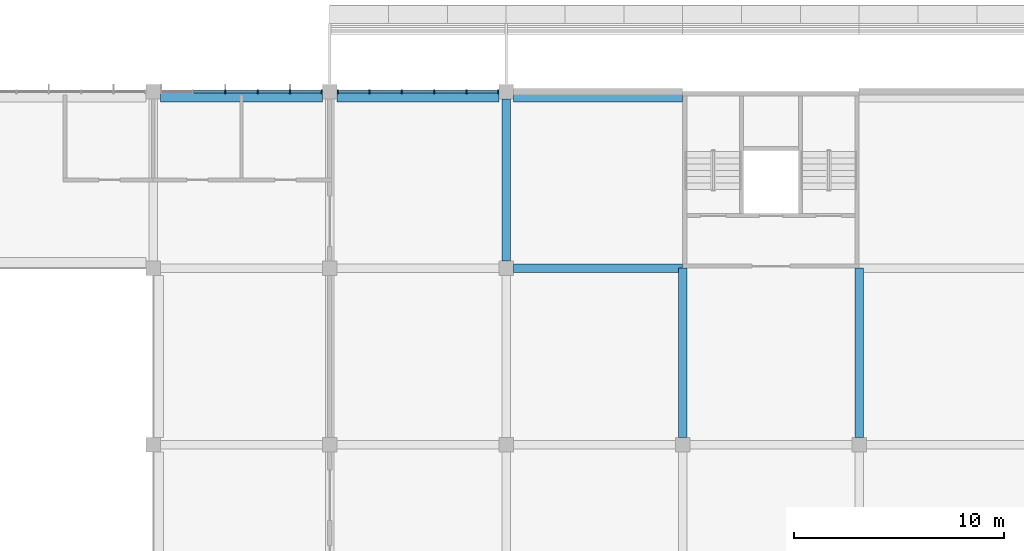
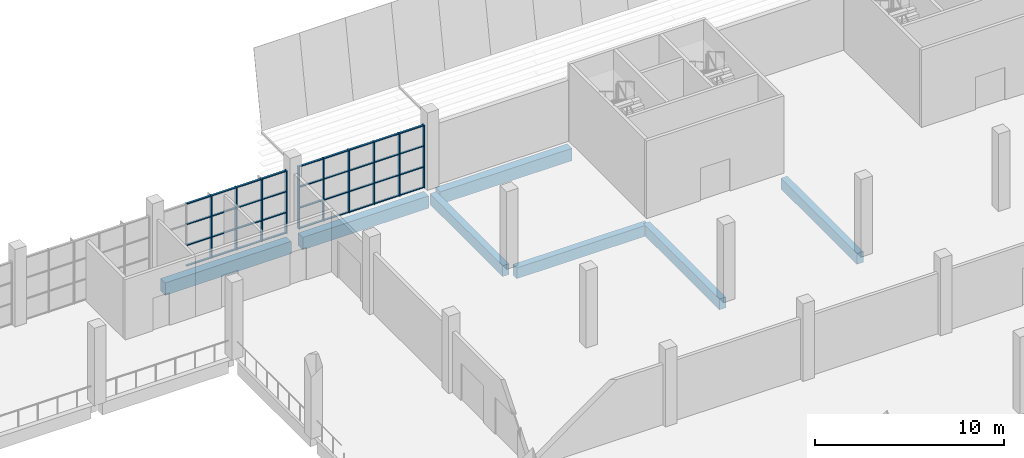
# One storey, part 10 of 82: 46 members, 7 beams, 2 elements without a shape of their own.
"""IFC4 building model written with IfcOpenShell, lengths in metres."""

from ifc_helpers import new_model, si_unit, direction, frame, origin, origin_2d, place, context, subcontext, project, spatial, rectangle, extrude, material, material_profile, profile_set, type_object, element, aggregate, save


model = new_model("IFC4")

# Units and contexts
model_context = context("Model", 3, precision=1e-05, world=origin(), true_north=direction((0.0, 1.0)))
body_context = subcontext(model_context, "Body", "Model", "MODEL_VIEW")
ifc_project = project(units=[si_unit("LENGTHUNIT", "METRE"), si_unit("AREAUNIT", "SQUARE_METRE"), si_unit("VOLUMEUNIT", "CUBIC_METRE"), si_unit("PLANEANGLEUNIT", "RADIAN"), si_unit("MASSUNIT", "GRAM", prefix="KILO")], contexts=[model_context])

# Site, building, storey
site_placement = place(None, origin())
site = spatial("IfcSite", under=ifc_project, at=site_placement, CompositionType="ELEMENT")
building_placement = place(site_placement, origin())
building = spatial("IfcBuilding", under=site, at=building_placement, Name="Almond Square Museum", CompositionType="ELEMENT")
storey_placement = place(building_placement, frame((0.0, 0.0, 20.0)))
storey = spatial("IfcBuildingStorey", under=building, at=storey_placement, Name="L03", CompositionType="ELEMENT", Elevation=20.0)

# Curtain wall, members
ifc_material_1 = material(Name="Aluminium and laminated glass", Category="aluminium")
curtain_wall_type = type_object("IfcCurtainWallType", Name="Unitised curtain wall 1500 module", PredefinedType="NOTDEFINED", material=ifc_material_1)
curtain_wall_1_placement = place(storey_placement, origin())
curtain_wall_1 = element("IfcCurtainWall", 1, at=curtain_wall_1_placement, inside=storey, type_object=curtain_wall_type, Name="Curtain wall CW-31", PredefinedType="NOTDEFINED")
ifc_material_2 = material(Name="Anodised aluminium", Category="aluminium")
ifc_material_profile_1 = material_profile(ifc_material_2, rectangle(XDim=0.199951171875, YDim=0.06005859375, at=origin_2d()))
ifc_profile_set_1 = profile_set([ifc_material_profile_1], Name="Anodised aluminium")
member_type_1 = type_object("IfcMemberType", Name="Aluminium mullion 60 x 200", PredefinedType="MULLION", material=ifc_profile_set_1)
member_1_placement = place(storey_placement, frame((107.179931640625, 109.199951171875, 0.0), z_axis=(0.0, 0.0, 1.0), x_axis=(0.0, 1.0, 0.0)))
member_1 = element("IfcMember", 2, at=member_1_placement, type_object=member_type_1, Name="CW-31 mullion 1", PredefinedType="MULLION", context=body_context, shape_type="SweptSolid", body=[
    extrude(rectangle(XDim=0.199951171875, YDim=0.06005859375, at=origin_2d()), origin(), (0.0, 0.0, 1.0), 4.050048828125),
])
member_2_placement = place(storey_placement, frame((108.68994140625, 109.199951171875, 0.0), z_axis=(0.0, 0.0, 1.0), x_axis=(0.0, 1.0, 0.0)))
member_2 = element("IfcMember", 3, at=member_2_placement, type_object=member_type_1, Name="CW-31 mullion 2", PredefinedType="MULLION", context=body_context, shape_type="SweptSolid", body=[
    extrude(rectangle(XDim=0.199951171875, YDim=0.06005859375, at=origin_2d()), origin(), (0.0, 0.0, 1.0), 4.050048828125),
])
member_3_placement = place(storey_placement, frame((110.22998046875, 109.199951171875, 0.0), z_axis=(0.0, 0.0, 1.0), x_axis=(0.0, 1.0, 0.0)))
member_3 = element("IfcMember", 4, at=member_3_placement, type_object=member_type_1, Name="CW-31 mullion 3", PredefinedType="MULLION", context=body_context, shape_type="SweptSolid", body=[
    extrude(rectangle(XDim=0.199951171875, YDim=0.06005859375, at=origin_2d()), origin(), (0.0, 0.0, 1.0), 4.050048828125),
])
member_4_placement = place(storey_placement, frame((111.77001953125, 109.199951171875, 0.0), z_axis=(0.0, 0.0, 1.0), x_axis=(0.0, 1.0, 0.0)))
member_4 = element("IfcMember", 5, at=member_4_placement, type_object=member_type_1, Name="CW-31 mullion 4", PredefinedType="MULLION", context=body_context, shape_type="SweptSolid", body=[
    extrude(rectangle(XDim=0.199951171875, YDim=0.06005859375, at=origin_2d()), origin(), (0.0, 0.0, 1.0), 4.050048828125),
])
member_5_placement = place(storey_placement, frame((113.31005859375, 109.199951171875, 0.0), z_axis=(0.0, 0.0, 1.0), x_axis=(0.0, 1.0, 0.0)))
member_5 = element("IfcMember", 6, at=member_5_placement, type_object=member_type_1, Name="CW-31 mullion 5", PredefinedType="MULLION", context=body_context, shape_type="SweptSolid", body=[
    extrude(rectangle(XDim=0.199951171875, YDim=0.06005859375, at=origin_2d()), origin(), (0.0, 0.0, 1.0), 4.050048828125),
])
member_6_placement = place(storey_placement, frame((114.820068359375, 109.199951171875, 0.0), z_axis=(0.0, 0.0, 1.0), x_axis=(0.0, 1.0, 0.0)))
member_6 = element("IfcMember", 7, at=member_6_placement, type_object=member_type_1, Name="CW-31 mullion 6", PredefinedType="MULLION", context=body_context, shape_type="SweptSolid", body=[
    extrude(rectangle(XDim=0.199951171875, YDim=0.06005859375, at=origin_2d()), origin(), (0.0, 0.0, 1.0), 4.050048828125),
])

curtain_wall_2_placement = place(storey_placement, origin())
curtain_wall_2 = element("IfcCurtainWall", 8, at=curtain_wall_2_placement, inside=storey, type_object=curtain_wall_type, Name="Curtain wall CW-32", PredefinedType="NOTDEFINED")
member_7_placement = place(storey_placement, frame((101.830078125, 109.199951171875, 0.0), z_axis=(0.0, 0.0, 1.0), x_axis=(0.0, 1.0, 0.0)))
member_7 = element("IfcMember", 9, at=member_7_placement, type_object=member_type_1, Name="CW-32 mullion 3", PredefinedType="MULLION", context=body_context, shape_type="SweptSolid", body=[
    extrude(rectangle(XDim=0.199951171875, YDim=0.06005859375, at=origin_2d()), origin(), (0.0, 0.0, 1.0), 4.050048828125),
])
member_8_placement = place(storey_placement, frame((103.3701171875, 109.199951171875, 0.0), z_axis=(0.0, 0.0, 1.0), x_axis=(0.0, 1.0, 0.0)))
member_8 = element("IfcMember", 10, at=member_8_placement, type_object=member_type_1, Name="CW-32 mullion 4", PredefinedType="MULLION", context=body_context, shape_type="SweptSolid", body=[
    extrude(rectangle(XDim=0.199951171875, YDim=0.06005859375, at=origin_2d()), origin(), (0.0, 0.0, 1.0), 4.050048828125),
])
member_9_placement = place(storey_placement, frame((104.909912109375, 109.199951171875, 0.0), z_axis=(0.0, 0.0, 1.0), x_axis=(0.0, 1.0, 0.0)))
member_9 = element("IfcMember", 11, at=member_9_placement, type_object=member_type_1, Name="CW-32 mullion 5", PredefinedType="MULLION", context=body_context, shape_type="SweptSolid", body=[
    extrude(rectangle(XDim=0.199951171875, YDim=0.06005859375, at=origin_2d()), origin(), (0.0, 0.0, 1.0), 4.050048828125),
])
member_10_placement = place(storey_placement, frame((106.419921875, 109.199951171875, 0.0), z_axis=(0.0, 0.0, 1.0), x_axis=(0.0, 1.0, 0.0)))
member_10 = element("IfcMember", 12, at=member_10_placement, type_object=member_type_1, Name="CW-32 mullion 6", PredefinedType="MULLION", context=body_context, shape_type="SweptSolid", body=[
    extrude(rectangle(XDim=0.199951171875, YDim=0.06005859375, at=origin_2d()), origin(), (0.0, 0.0, 1.0), 4.050048828125),
])

# Member
ifc_material_3 = material(Name="Anodised aluminium", Category="aluminium")
ifc_material_profile_2 = material_profile(ifc_material_3, rectangle(XDim=0.1201171875, YDim=0.06005859375, at=origin_2d()))
ifc_profile_set_2 = profile_set([ifc_material_profile_2], Name="Anodised aluminium")
member_type_2 = type_object("IfcMemberType", Name="Aluminium transom 60 x 120", PredefinedType="USERDEFINED", material=ifc_profile_set_2)
member_11_placement = place(storey_placement, frame((107.2099609375, 109.199951171875, 0.030029296875), z_axis=(1.0, 0.0, 0.0), x_axis=(0.0, 1.0, 0.0)))
member_11 = element("IfcMember", 13, at=member_11_placement, type_object=member_type_2, Name="CW-31 transom 1.1", ObjectType="TRANSOM", PredefinedType="USERDEFINED", context=body_context, shape_type="SweptSolid", body=[
    extrude(rectangle(XDim=0.1201171875, YDim=0.06005859375, at=origin_2d()), origin(), (0.0, 0.0, 1.0), 1.449951171875),
])

member_12_placement = place(storey_placement, frame((107.2099609375, 109.199951171875, 1.35009765625), z_axis=(1.0, 0.0, 0.0), x_axis=(0.0, 1.0, 0.0)))
member_12 = element("IfcMember", 14, at=member_12_placement, type_object=member_type_2, Name="CW-31 transom 1.2", ObjectType="TRANSOM", PredefinedType="USERDEFINED", context=body_context, shape_type="SweptSolid", body=[
    extrude(rectangle(XDim=0.1201171875, YDim=0.06005859375, at=origin_2d()), origin(), (0.0, 0.0, 1.0), 1.449951171875),
])

member_13_placement = place(storey_placement, frame((107.2099609375, 109.199951171875, 2.699951171875), z_axis=(1.0, 0.0, 0.0), x_axis=(0.0, 1.0, 0.0)))
member_13 = element("IfcMember", 15, at=member_13_placement, type_object=member_type_2, Name="CW-31 transom 1.3", ObjectType="TRANSOM", PredefinedType="USERDEFINED", context=body_context, shape_type="SweptSolid", body=[
    extrude(rectangle(XDim=0.1201171875, YDim=0.06005859375, at=origin_2d()), origin(), (0.0, 0.0, 1.0), 1.449951171875),
])

member_14_placement = place(storey_placement, frame((107.2099609375, 109.199951171875, 4.02001953125), z_axis=(1.0, 0.0, 0.0), x_axis=(0.0, 1.0, 0.0)))
member_14 = element("IfcMember", 16, at=member_14_placement, type_object=member_type_2, Name="CW-31 transom 1.4", ObjectType="TRANSOM", PredefinedType="USERDEFINED", context=body_context, shape_type="SweptSolid", body=[
    extrude(rectangle(XDim=0.1201171875, YDim=0.06005859375, at=origin_2d()), origin(), (0.0, 0.0, 1.0), 1.449951171875),
])

member_15_placement = place(storey_placement, frame((108.719970703125, 109.199951171875, 0.030029296875), z_axis=(1.0, 0.0, 0.0), x_axis=(0.0, 1.0, 0.0)))
member_15 = element("IfcMember", 17, at=member_15_placement, type_object=member_type_2, Name="CW-31 transom 2.1", ObjectType="TRANSOM", PredefinedType="USERDEFINED", context=body_context, shape_type="SweptSolid", body=[
    extrude(rectangle(XDim=0.1201171875, YDim=0.06005859375, at=origin_2d()), origin(), (0.0, 0.0, 1.0), 1.47998046875),
])

member_16_placement = place(storey_placement, frame((108.719970703125, 109.199951171875, 1.35009765625), z_axis=(1.0, 0.0, 0.0), x_axis=(0.0, 1.0, 0.0)))
member_16 = element("IfcMember", 18, at=member_16_placement, type_object=member_type_2, Name="CW-31 transom 2.2", ObjectType="TRANSOM", PredefinedType="USERDEFINED", context=body_context, shape_type="SweptSolid", body=[
    extrude(rectangle(XDim=0.1201171875, YDim=0.06005859375, at=origin_2d()), origin(), (0.0, 0.0, 1.0), 1.47998046875),
])

member_17_placement = place(storey_placement, frame((108.719970703125, 109.199951171875, 2.699951171875), z_axis=(1.0, 0.0, 0.0), x_axis=(0.0, 1.0, 0.0)))
member_17 = element("IfcMember", 19, at=member_17_placement, type_object=member_type_2, Name="CW-31 transom 2.3", ObjectType="TRANSOM", PredefinedType="USERDEFINED", context=body_context, shape_type="SweptSolid", body=[
    extrude(rectangle(XDim=0.1201171875, YDim=0.06005859375, at=origin_2d()), origin(), (0.0, 0.0, 1.0), 1.47998046875),
])

member_18_placement = place(storey_placement, frame((108.719970703125, 109.199951171875, 4.02001953125), z_axis=(1.0, 0.0, 0.0), x_axis=(0.0, 1.0, 0.0)))
member_18 = element("IfcMember", 20, at=member_18_placement, type_object=member_type_2, Name="CW-31 transom 2.4", ObjectType="TRANSOM", PredefinedType="USERDEFINED", context=body_context, shape_type="SweptSolid", body=[
    extrude(rectangle(XDim=0.1201171875, YDim=0.06005859375, at=origin_2d()), origin(), (0.0, 0.0, 1.0), 1.47998046875),
])

member_19_placement = place(storey_placement, frame((110.260009765625, 109.199951171875, 0.030029296875), z_axis=(1.0, 0.0, 0.0), x_axis=(0.0, 1.0, 0.0)))
member_19 = element("IfcMember", 21, at=member_19_placement, type_object=member_type_2, Name="CW-31 transom 3.1", ObjectType="TRANSOM", PredefinedType="USERDEFINED", context=body_context, shape_type="SweptSolid", body=[
    extrude(rectangle(XDim=0.1201171875, YDim=0.06005859375, at=origin_2d()), origin(), (0.0, 0.0, 1.0), 1.47998046875),
])

member_20_placement = place(storey_placement, frame((110.260009765625, 109.199951171875, 1.35009765625), z_axis=(1.0, 0.0, 0.0), x_axis=(0.0, 1.0, 0.0)))
member_20 = element("IfcMember", 22, at=member_20_placement, type_object=member_type_2, Name="CW-31 transom 3.2", ObjectType="TRANSOM", PredefinedType="USERDEFINED", context=body_context, shape_type="SweptSolid", body=[
    extrude(rectangle(XDim=0.1201171875, YDim=0.06005859375, at=origin_2d()), origin(), (0.0, 0.0, 1.0), 1.47998046875),
])

member_21_placement = place(storey_placement, frame((110.260009765625, 109.199951171875, 2.699951171875), z_axis=(1.0, 0.0, 0.0), x_axis=(0.0, 1.0, 0.0)))
member_21 = element("IfcMember", 23, at=member_21_placement, type_object=member_type_2, Name="CW-31 transom 3.3", ObjectType="TRANSOM", PredefinedType="USERDEFINED", context=body_context, shape_type="SweptSolid", body=[
    extrude(rectangle(XDim=0.1201171875, YDim=0.06005859375, at=origin_2d()), origin(), (0.0, 0.0, 1.0), 1.47998046875),
])

member_22_placement = place(storey_placement, frame((110.260009765625, 109.199951171875, 4.02001953125), z_axis=(1.0, 0.0, 0.0), x_axis=(0.0, 1.0, 0.0)))
member_22 = element("IfcMember", 24, at=member_22_placement, type_object=member_type_2, Name="CW-31 transom 3.4", ObjectType="TRANSOM", PredefinedType="USERDEFINED", context=body_context, shape_type="SweptSolid", body=[
    extrude(rectangle(XDim=0.1201171875, YDim=0.06005859375, at=origin_2d()), origin(), (0.0, 0.0, 1.0), 1.47998046875),
])

member_23_placement = place(storey_placement, frame((111.800048828125, 109.199951171875, 0.030029296875), z_axis=(1.0, 0.0, 0.0), x_axis=(0.0, 1.0, 0.0)))
member_23 = element("IfcMember", 25, at=member_23_placement, type_object=member_type_2, Name="CW-31 transom 4.1", ObjectType="TRANSOM", PredefinedType="USERDEFINED", context=body_context, shape_type="SweptSolid", body=[
    extrude(rectangle(XDim=0.1201171875, YDim=0.06005859375, at=origin_2d()), origin(), (0.0, 0.0, 1.0), 1.47998046875),
])

member_24_placement = place(storey_placement, frame((111.800048828125, 109.199951171875, 1.35009765625), z_axis=(1.0, 0.0, 0.0), x_axis=(0.0, 1.0, 0.0)))
member_24 = element("IfcMember", 26, at=member_24_placement, type_object=member_type_2, Name="CW-31 transom 4.2", ObjectType="TRANSOM", PredefinedType="USERDEFINED", context=body_context, shape_type="SweptSolid", body=[
    extrude(rectangle(XDim=0.1201171875, YDim=0.06005859375, at=origin_2d()), origin(), (0.0, 0.0, 1.0), 1.47998046875),
])

member_25_placement = place(storey_placement, frame((111.800048828125, 109.199951171875, 2.699951171875), z_axis=(1.0, 0.0, 0.0), x_axis=(0.0, 1.0, 0.0)))
member_25 = element("IfcMember", 27, at=member_25_placement, type_object=member_type_2, Name="CW-31 transom 4.3", ObjectType="TRANSOM", PredefinedType="USERDEFINED", context=body_context, shape_type="SweptSolid", body=[
    extrude(rectangle(XDim=0.1201171875, YDim=0.06005859375, at=origin_2d()), origin(), (0.0, 0.0, 1.0), 1.47998046875),
])

member_26_placement = place(storey_placement, frame((111.800048828125, 109.199951171875, 4.02001953125), z_axis=(1.0, 0.0, 0.0), x_axis=(0.0, 1.0, 0.0)))
member_26 = element("IfcMember", 28, at=member_26_placement, type_object=member_type_2, Name="CW-31 transom 4.4", ObjectType="TRANSOM", PredefinedType="USERDEFINED", context=body_context, shape_type="SweptSolid", body=[
    extrude(rectangle(XDim=0.1201171875, YDim=0.06005859375, at=origin_2d()), origin(), (0.0, 0.0, 1.0), 1.47998046875),
])

member_27_placement = place(storey_placement, frame((113.340087890625, 109.199951171875, 0.030029296875), z_axis=(1.0, 0.0, 0.0), x_axis=(0.0, 1.0, 0.0)))
member_27 = element("IfcMember", 29, at=member_27_placement, type_object=member_type_2, Name="CW-31 transom 5.1", ObjectType="TRANSOM", PredefinedType="USERDEFINED", context=body_context, shape_type="SweptSolid", body=[
    extrude(rectangle(XDim=0.1201171875, YDim=0.06005859375, at=origin_2d()), origin(), (0.0, 0.0, 1.0), 1.449951171875),
])

member_28_placement = place(storey_placement, frame((113.340087890625, 109.199951171875, 1.35009765625), z_axis=(1.0, 0.0, 0.0), x_axis=(0.0, 1.0, 0.0)))
member_28 = element("IfcMember", 30, at=member_28_placement, type_object=member_type_2, Name="CW-31 transom 5.2", ObjectType="TRANSOM", PredefinedType="USERDEFINED", context=body_context, shape_type="SweptSolid", body=[
    extrude(rectangle(XDim=0.1201171875, YDim=0.06005859375, at=origin_2d()), origin(), (0.0, 0.0, 1.0), 1.449951171875),
])

member_29_placement = place(storey_placement, frame((113.340087890625, 109.199951171875, 2.699951171875), z_axis=(1.0, 0.0, 0.0), x_axis=(0.0, 1.0, 0.0)))
member_29 = element("IfcMember", 31, at=member_29_placement, type_object=member_type_2, Name="CW-31 transom 5.3", ObjectType="TRANSOM", PredefinedType="USERDEFINED", context=body_context, shape_type="SweptSolid", body=[
    extrude(rectangle(XDim=0.1201171875, YDim=0.06005859375, at=origin_2d()), origin(), (0.0, 0.0, 1.0), 1.449951171875),
])

member_30_placement = place(storey_placement, frame((113.340087890625, 109.199951171875, 4.02001953125), z_axis=(1.0, 0.0, 0.0), x_axis=(0.0, 1.0, 0.0)))
member_30 = element("IfcMember", 32, at=member_30_placement, type_object=member_type_2, Name="CW-31 transom 5.4", ObjectType="TRANSOM", PredefinedType="USERDEFINED", context=body_context, shape_type="SweptSolid", body=[
    extrude(rectangle(XDim=0.1201171875, YDim=0.06005859375, at=origin_2d()), origin(), (0.0, 0.0, 1.0), 1.449951171875),
])

aggregate(curtain_wall_1, [member_1, member_2, member_3, member_4, member_5, member_6, member_11, member_12, member_13, member_14, member_15, member_16, member_17, member_18, member_19, member_20, member_21, member_22, member_23, member_24, member_25, member_26, member_27, member_28, member_29, member_30])

member_31_placement = place(storey_placement, frame((100.320068359375, 109.199951171875, 0.030029296875), z_axis=(1.0, 0.0, 0.0), x_axis=(0.0, 1.0, 0.0)))
member_31 = element("IfcMember", 33, at=member_31_placement, type_object=member_type_2, Name="CW-32 transom 2.1", ObjectType="TRANSOM", PredefinedType="USERDEFINED", context=body_context, shape_type="SweptSolid", body=[
    extrude(rectangle(XDim=0.1201171875, YDim=0.06005859375, at=origin_2d()), origin(), (0.0, 0.0, 1.0), 1.47998046875),
])

member_32_placement = place(storey_placement, frame((100.320068359375, 109.199951171875, 1.35009765625), z_axis=(1.0, 0.0, 0.0), x_axis=(0.0, 1.0, 0.0)))
member_32 = element("IfcMember", 34, at=member_32_placement, type_object=member_type_2, Name="CW-32 transom 2.2", ObjectType="TRANSOM", PredefinedType="USERDEFINED", context=body_context, shape_type="SweptSolid", body=[
    extrude(rectangle(XDim=0.1201171875, YDim=0.06005859375, at=origin_2d()), origin(), (0.0, 0.0, 1.0), 1.47998046875),
])

member_33_placement = place(storey_placement, frame((100.320068359375, 109.199951171875, 2.699951171875), z_axis=(1.0, 0.0, 0.0), x_axis=(0.0, 1.0, 0.0)))
member_33 = element("IfcMember", 35, at=member_33_placement, type_object=member_type_2, Name="CW-32 transom 2.3", ObjectType="TRANSOM", PredefinedType="USERDEFINED", context=body_context, shape_type="SweptSolid", body=[
    extrude(rectangle(XDim=0.1201171875, YDim=0.06005859375, at=origin_2d()), origin(), (0.0, 0.0, 1.0), 1.47998046875),
])

member_34_placement = place(storey_placement, frame((100.320068359375, 109.199951171875, 4.02001953125), z_axis=(1.0, 0.0, 0.0), x_axis=(0.0, 1.0, 0.0)))
member_34 = element("IfcMember", 36, at=member_34_placement, type_object=member_type_2, Name="CW-32 transom 2.4", ObjectType="TRANSOM", PredefinedType="USERDEFINED", context=body_context, shape_type="SweptSolid", body=[
    extrude(rectangle(XDim=0.1201171875, YDim=0.06005859375, at=origin_2d()), origin(), (0.0, 0.0, 1.0), 1.47998046875),
])

member_35_placement = place(storey_placement, frame((101.860107421875, 109.199951171875, 0.030029296875), z_axis=(1.0, 0.0, 0.0), x_axis=(0.0, 1.0, 0.0)))
member_35 = element("IfcMember", 37, at=member_35_placement, type_object=member_type_2, Name="CW-32 transom 3.1", ObjectType="TRANSOM", PredefinedType="USERDEFINED", context=body_context, shape_type="SweptSolid", body=[
    extrude(rectangle(XDim=0.1201171875, YDim=0.06005859375, at=origin_2d()), origin(), (0.0, 0.0, 1.0), 1.47998046875),
])

member_36_placement = place(storey_placement, frame((101.860107421875, 109.199951171875, 1.35009765625), z_axis=(1.0, 0.0, 0.0), x_axis=(0.0, 1.0, 0.0)))
member_36 = element("IfcMember", 38, at=member_36_placement, type_object=member_type_2, Name="CW-32 transom 3.2", ObjectType="TRANSOM", PredefinedType="USERDEFINED", context=body_context, shape_type="SweptSolid", body=[
    extrude(rectangle(XDim=0.1201171875, YDim=0.06005859375, at=origin_2d()), origin(), (0.0, 0.0, 1.0), 1.47998046875),
])

member_37_placement = place(storey_placement, frame((101.860107421875, 109.199951171875, 2.699951171875), z_axis=(1.0, 0.0, 0.0), x_axis=(0.0, 1.0, 0.0)))
member_37 = element("IfcMember", 39, at=member_37_placement, type_object=member_type_2, Name="CW-32 transom 3.3", ObjectType="TRANSOM", PredefinedType="USERDEFINED", context=body_context, shape_type="SweptSolid", body=[
    extrude(rectangle(XDim=0.1201171875, YDim=0.06005859375, at=origin_2d()), origin(), (0.0, 0.0, 1.0), 1.47998046875),
])

member_38_placement = place(storey_placement, frame((101.860107421875, 109.199951171875, 4.02001953125), z_axis=(1.0, 0.0, 0.0), x_axis=(0.0, 1.0, 0.0)))
member_38 = element("IfcMember", 40, at=member_38_placement, type_object=member_type_2, Name="CW-32 transom 3.4", ObjectType="TRANSOM", PredefinedType="USERDEFINED", context=body_context, shape_type="SweptSolid", body=[
    extrude(rectangle(XDim=0.1201171875, YDim=0.06005859375, at=origin_2d()), origin(), (0.0, 0.0, 1.0), 1.47998046875),
])

member_39_placement = place(storey_placement, frame((103.39990234375, 109.199951171875, 0.030029296875), z_axis=(1.0, 0.0, 0.0), x_axis=(0.0, 1.0, 0.0)))
member_39 = element("IfcMember", 41, at=member_39_placement, type_object=member_type_2, Name="CW-32 transom 4.1", ObjectType="TRANSOM", PredefinedType="USERDEFINED", context=body_context, shape_type="SweptSolid", body=[
    extrude(rectangle(XDim=0.1201171875, YDim=0.06005859375, at=origin_2d()), origin(), (0.0, 0.0, 1.0), 1.47998046875),
])

member_40_placement = place(storey_placement, frame((103.39990234375, 109.199951171875, 1.35009765625), z_axis=(1.0, 0.0, 0.0), x_axis=(0.0, 1.0, 0.0)))
member_40 = element("IfcMember", 42, at=member_40_placement, type_object=member_type_2, Name="CW-32 transom 4.2", ObjectType="TRANSOM", PredefinedType="USERDEFINED", context=body_context, shape_type="SweptSolid", body=[
    extrude(rectangle(XDim=0.1201171875, YDim=0.06005859375, at=origin_2d()), origin(), (0.0, 0.0, 1.0), 1.47998046875),
])

member_41_placement = place(storey_placement, frame((103.39990234375, 109.199951171875, 2.699951171875), z_axis=(1.0, 0.0, 0.0), x_axis=(0.0, 1.0, 0.0)))
member_41 = element("IfcMember", 43, at=member_41_placement, type_object=member_type_2, Name="CW-32 transom 4.3", ObjectType="TRANSOM", PredefinedType="USERDEFINED", context=body_context, shape_type="SweptSolid", body=[
    extrude(rectangle(XDim=0.1201171875, YDim=0.06005859375, at=origin_2d()), origin(), (0.0, 0.0, 1.0), 1.47998046875),
])

member_42_placement = place(storey_placement, frame((103.39990234375, 109.199951171875, 4.02001953125), z_axis=(1.0, 0.0, 0.0), x_axis=(0.0, 1.0, 0.0)))
member_42 = element("IfcMember", 44, at=member_42_placement, type_object=member_type_2, Name="CW-32 transom 4.4", ObjectType="TRANSOM", PredefinedType="USERDEFINED", context=body_context, shape_type="SweptSolid", body=[
    extrude(rectangle(XDim=0.1201171875, YDim=0.06005859375, at=origin_2d()), origin(), (0.0, 0.0, 1.0), 1.47998046875),
])

member_43_placement = place(storey_placement, frame((104.93994140625, 109.199951171875, 0.030029296875), z_axis=(1.0, 0.0, 0.0), x_axis=(0.0, 1.0, 0.0)))
member_43 = element("IfcMember", 45, at=member_43_placement, type_object=member_type_2, Name="CW-32 transom 5.1", ObjectType="TRANSOM", PredefinedType="USERDEFINED", context=body_context, shape_type="SweptSolid", body=[
    extrude(rectangle(XDim=0.1201171875, YDim=0.06005859375, at=origin_2d()), origin(), (0.0, 0.0, 1.0), 1.449951171875),
])

member_44_placement = place(storey_placement, frame((104.93994140625, 109.199951171875, 1.35009765625), z_axis=(1.0, 0.0, 0.0), x_axis=(0.0, 1.0, 0.0)))
member_44 = element("IfcMember", 46, at=member_44_placement, type_object=member_type_2, Name="CW-32 transom 5.2", ObjectType="TRANSOM", PredefinedType="USERDEFINED", context=body_context, shape_type="SweptSolid", body=[
    extrude(rectangle(XDim=0.1201171875, YDim=0.06005859375, at=origin_2d()), origin(), (0.0, 0.0, 1.0), 1.449951171875),
])

member_45_placement = place(storey_placement, frame((104.93994140625, 109.199951171875, 2.699951171875), z_axis=(1.0, 0.0, 0.0), x_axis=(0.0, 1.0, 0.0)))
member_45 = element("IfcMember", 47, at=member_45_placement, type_object=member_type_2, Name="CW-32 transom 5.3", ObjectType="TRANSOM", PredefinedType="USERDEFINED", context=body_context, shape_type="SweptSolid", body=[
    extrude(rectangle(XDim=0.1201171875, YDim=0.06005859375, at=origin_2d()), origin(), (0.0, 0.0, 1.0), 1.449951171875),
])

member_46_placement = place(storey_placement, frame((104.93994140625, 109.199951171875, 4.02001953125), z_axis=(1.0, 0.0, 0.0), x_axis=(0.0, 1.0, 0.0)))
member_46 = element("IfcMember", 48, at=member_46_placement, type_object=member_type_2, Name="CW-32 transom 5.4", ObjectType="TRANSOM", PredefinedType="USERDEFINED", context=body_context, shape_type="SweptSolid", body=[
    extrude(rectangle(XDim=0.1201171875, YDim=0.06005859375, at=origin_2d()), origin(), (0.0, 0.0, 1.0), 1.449951171875),
])

aggregate(curtain_wall_2, [member_7, member_8, member_9, member_10, member_31, member_32, member_33, member_34, member_35, member_36, member_37, member_38, member_39, member_40, member_41, member_42, member_43, member_44, member_45, member_46])

# Beams
ifc_material_4 = material(Name="Concrete C40/50", Category="concrete")
ifc_material_profile_3 = material_profile(ifc_material_4, rectangle(XDim=0.39990234375, YDim=0.699951171875, at=origin_2d()))
ifc_profile_set_3 = profile_set([ifc_material_profile_3], Name="Concrete C40/50")
beam_type_1 = type_object("IfcBeamType", Name="RC beam 400 x 700 C40/50", PredefinedType="BEAM", material=ifc_profile_set_3)
beam_1_placement = place(storey_placement, frame((115.550048828125, 100.800048828125, -0.60009765625), z_axis=(1.0, 0.0, 0.0), x_axis=(0.0, 1.0, 0.0)))
element("IfcBeam", 49, at=beam_1_placement, inside=storey, type_object=beam_type_1, Name="Beam M 15-16 L03", PredefinedType="BEAM", context=body_context, shape_type="SweptSolid", body=[
    extrude(rectangle(XDim=0.39990234375, YDim=0.699951171875, at=origin_2d()), origin(), (0.0, 0.0, 1.0), 8.050048828125),
])
beam_2_placement = place(storey_placement, frame((115.199951171875, 101.14990234375, -0.60009765625), z_axis=(0.0, 1.0, 0.0), x_axis=(-1.0, 0.0, 0.0)))
element("IfcBeam", 50, at=beam_2_placement, inside=storey, type_object=beam_type_1, Name="Beam 15 M-N L03", PredefinedType="BEAM", context=body_context, shape_type="SweptSolid", body=[
    extrude(rectangle(XDim=0.39990234375, YDim=0.699951171875, at=origin_2d()), origin(), (0.0, 0.0, 1.0), 7.7001953125),
])
for number, where, z_axis, x_axis, name in (
    (51, (123.60009765625, 92.75, -0.60009765625), (0.0, 1.0, 0.0), (-1.0, 0.0, 0.0), "Beam 16 L-M L03"),
    (52, (132.0, 92.75, -0.60009765625), (0.0, 1.0, 0.0), (-1.0, 0.0, 0.0), "Beam 17 L-M L03"),
):
    element("IfcBeam", number, at=place(storey_placement, frame(where, z_axis=z_axis, x_axis=x_axis)), inside=storey, type_object=beam_type_1, Name=name, PredefinedType="BEAM", context=body_context, shape_type="SweptSolid", body=[
        extrude(rectangle(XDim=0.39990234375, YDim=0.699951171875, at=origin_2d()), origin(), (0.0, 0.0, 1.0), 8.050048828125),
    ])
ifc_material_5 = material(Name="Concrete C40/50", Category="concrete")
ifc_material_profile_4 = material_profile(ifc_material_5, rectangle(XDim=0.5, YDim=0.800048828125, at=origin_2d()))
ifc_profile_set_4 = profile_set([ifc_material_profile_4], Name="Concrete C40/50")
beam_type_2 = type_object("IfcBeamType", Name="RC edge beam 500 x 800 C40/50", PredefinedType="BEAM", material=ifc_profile_set_4)
beam_3_placement = place(storey_placement, frame((98.75, 108.949951171875, -0.64990234375), z_axis=(1.0, 0.0, 0.0), x_axis=(0.0, 1.0, 0.0)))
element("IfcBeam", 53, at=beam_3_placement, inside=storey, type_object=beam_type_2, Name="Edge beam N 13-14 L03", PredefinedType="BEAM", context=body_context, shape_type="SweptSolid", body=[
    extrude(rectangle(XDim=0.5, YDim=0.800048828125, at=origin_2d()), origin(), (0.0, 0.0, 1.0), 7.699951171875),
])
beam_4_placement = place(storey_placement, frame((107.14990234375, 108.949951171875, -0.64990234375), z_axis=(1.0, 0.0, 0.0), x_axis=(0.0, 1.0, 0.0)))
element("IfcBeam", 54, at=beam_4_placement, inside=storey, type_object=beam_type_2, Name="Edge beam N 14-15 L03", PredefinedType="BEAM", context=body_context, shape_type="SweptSolid", body=[
    extrude(rectangle(XDim=0.5, YDim=0.800048828125, at=origin_2d()), origin(), (0.0, 0.0, 1.0), 7.7001953125),
])
beam_5_placement = place(storey_placement, frame((115.550048828125, 108.949951171875, -0.64990234375), z_axis=(1.0, 0.0, 0.0), x_axis=(0.0, 1.0, 0.0)))
element("IfcBeam", 55, at=beam_5_placement, inside=storey, type_object=beam_type_2, Name="Edge beam N 15-16 L03", PredefinedType="BEAM", context=body_context, shape_type="SweptSolid", body=[
    extrude(rectangle(XDim=0.5, YDim=0.800048828125, at=origin_2d()), origin(), (0.0, 0.0, 1.0), 8.050048828125),
])

save(model, "model.ifc")
